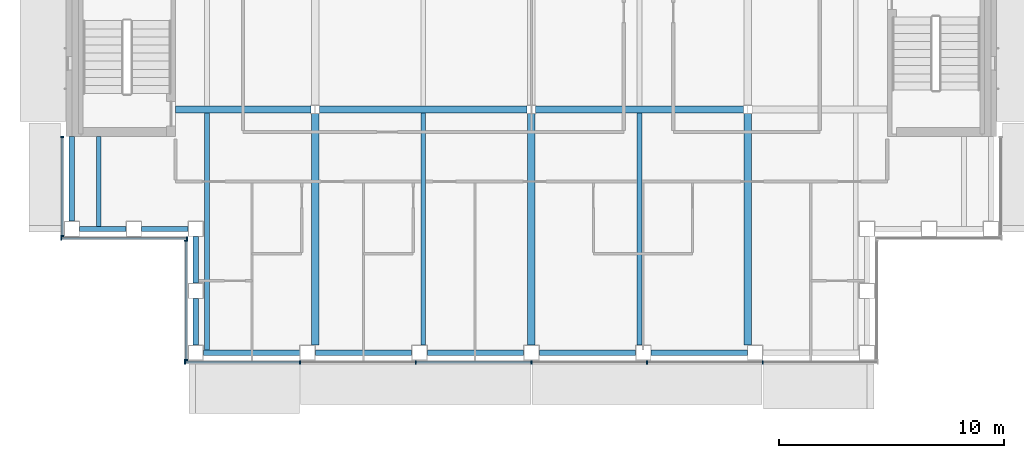
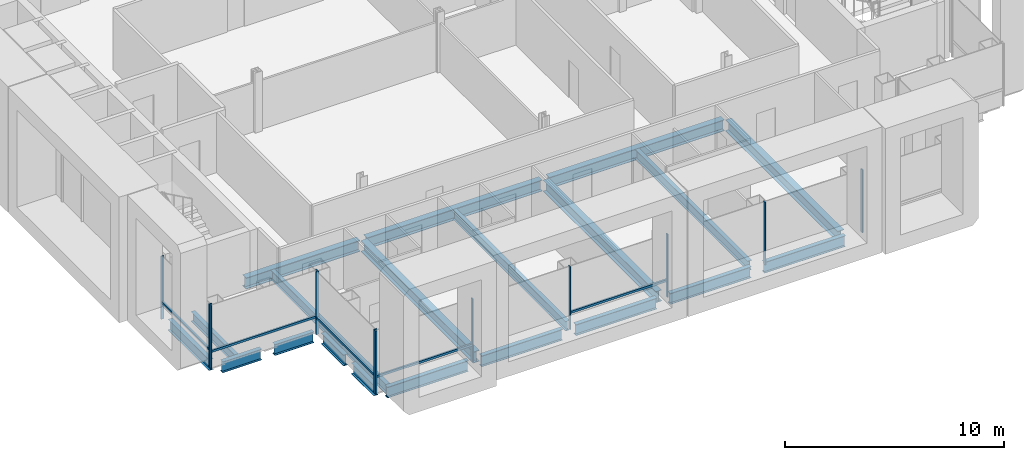
# One storey, part 3 of 19: 20 beams, 17 members, 4 elements without a shape of their own.
"""IFC4 building model written with IfcOpenShell, lengths in metres."""

from ifc_helpers import new_model, si_unit, direction, frame, origin, origin_2d, place, context, subcontext, project, spatial, rectangle, i_section, extrude, material, material_profile, profile_set, type_object, element, aggregate, save


model = new_model("IFC4")

# Units and contexts
model_context = context("Model", 3, precision=1e-05, world=origin(), true_north=direction((0.0, 1.0)))
body_context = subcontext(model_context, "Body", "Model", "MODEL_VIEW")
ifc_project = project(units=[si_unit("LENGTHUNIT", "METRE"), si_unit("AREAUNIT", "SQUARE_METRE"), si_unit("VOLUMEUNIT", "CUBIC_METRE"), si_unit("PLANEANGLEUNIT", "RADIAN"), si_unit("MASSUNIT", "GRAM", prefix="KILO")], contexts=[model_context])

# Site, building, storey
site_placement = place(None, origin())
site = spatial("IfcSite", under=ifc_project, at=site_placement, CompositionType="ELEMENT")
building_placement = place(site_placement, origin())
building = spatial("IfcBuilding", under=site, at=building_placement, Name="Cobrizo Arcos Hotel Tower", CompositionType="ELEMENT")
storey_placement = place(building_placement, frame((0.0, 0.0, 198.0)))
storey = spatial("IfcBuildingStorey", under=building, at=storey_placement, Name="L51", CompositionType="ELEMENT", Elevation=198.0)

# Curtain wall, members
ifc_material_1 = material(Name="Aluminium 6063-T6 anodised bronze", Category="aluminium")
curtain_wall_type = type_object("IfcCurtainWallType", Name="CW-A guest facade", PredefinedType="NOTDEFINED", material=ifc_material_1)
curtain_wall_1_placement = place(storey_placement, origin())
curtain_wall_1 = element("IfcCurtainWall", 1, at=curtain_wall_1_placement, inside=storey, type_object=curtain_wall_type, Name="CW-A L51 S face", PredefinedType="NOTDEFINED")
ifc_material_profile_1 = material_profile(ifc_material_1, rectangle(XDim=0.14990234375, YDim=0.06005859375, at=origin_2d()), Name="CW-A mullion 150x60")
ifc_profile_set_1 = profile_set([ifc_material_profile_1], Name="Aluminium 6063-T6 anodised bronze")
member_type_1 = type_object("IfcMemberType", Name="CW-A mullion 150x60", PredefinedType="MULLION", material=ifc_profile_set_1)
member_1_placement = place(storey_placement, frame((-15.3701171875, -20.824951171875, 0.0), z_axis=(0.0, 0.0, 1.0), x_axis=(0.0, -1.0, 0.0)))
member_1 = element("IfcMember", 2, at=member_1_placement, type_object=member_type_1, Name="CW-A mullion 1", PredefinedType="MULLION", context=body_context, shape_type="SweptSolid", body=[
    extrude(rectangle(XDim=0.14990234375, YDim=0.06005859375, at=origin_2d()), origin(), (0.0, 0.0, 1.0), 3.5),
])
member_2_placement = place(storey_placement, frame((-10.2666015625, -20.824951171875, 0.0), z_axis=(0.0, 0.0, 1.0), x_axis=(0.0, -1.0, 0.0)))
member_2 = element("IfcMember", 3, at=member_2_placement, type_object=member_type_1, Name="CW-A mullion 2", PredefinedType="MULLION", context=body_context, shape_type="SweptSolid", body=[
    extrude(rectangle(XDim=0.14990234375, YDim=0.06005859375, at=origin_2d()), origin(), (0.0, 0.0, 1.0), 3.5),
])
member_3_placement = place(storey_placement, frame((-5.13330078125, -20.824951171875, 0.0), z_axis=(0.0, 0.0, 1.0), x_axis=(0.0, -1.0, 0.0)))
member_3 = element("IfcMember", 4, at=member_3_placement, type_object=member_type_1, Name="CW-A mullion 3", PredefinedType="MULLION", context=body_context, shape_type="SweptSolid", body=[
    extrude(rectangle(XDim=0.14990234375, YDim=0.06005859375, at=origin_2d()), origin(), (0.0, 0.0, 1.0), 3.5),
])
member_4_placement = place(storey_placement, frame((0.0, -20.824951171875, 0.0), z_axis=(0.0, 0.0, 1.0), x_axis=(0.0, -1.0, 0.0)))
member_4 = element("IfcMember", 5, at=member_4_placement, type_object=member_type_1, Name="CW-A mullion 4", PredefinedType="MULLION", context=body_context, shape_type="SweptSolid", body=[
    extrude(rectangle(XDim=0.14990234375, YDim=0.06005859375, at=origin_2d()), origin(), (0.0, 0.0, 1.0), 3.5),
])
member_5_placement = place(storey_placement, frame((5.13330078125, -20.824951171875, 0.0), z_axis=(0.0, 0.0, 1.0), x_axis=(0.0, -1.0, 0.0)))
member_5 = element("IfcMember", 6, at=member_5_placement, type_object=member_type_1, Name="CW-A mullion 5", PredefinedType="MULLION", context=body_context, shape_type="SweptSolid", body=[
    extrude(rectangle(XDim=0.14990234375, YDim=0.06005859375, at=origin_2d()), origin(), (0.0, 0.0, 1.0), 3.5),
])
member_6_placement = place(storey_placement, frame((10.2666015625, -20.824951171875, 0.0), z_axis=(0.0, 0.0, 1.0), x_axis=(0.0, -1.0, 0.0)))
member_6 = element("IfcMember", 7, at=member_6_placement, type_object=member_type_1, Name="CW-A mullion 6", PredefinedType="MULLION", context=body_context, shape_type="SweptSolid", body=[
    extrude(rectangle(XDim=0.14990234375, YDim=0.06005859375, at=origin_2d()), origin(), (0.0, 0.0, 1.0), 3.5),
])

curtain_wall_2_placement = place(storey_placement, origin())
curtain_wall_2 = element("IfcCurtainWall", 8, at=curtain_wall_2_placement, inside=storey, type_object=curtain_wall_type, Name="CW-A L51 W face", PredefinedType="NOTDEFINED")
member_7_placement = place(storey_placement, frame((-20.824951171875, -10.830078125, 0.0), z_axis=(0.0, 0.0, 1.0), x_axis=(-1.0, 0.0, 0.0)))
member_7 = element("IfcMember", 9, at=member_7_placement, type_object=member_type_1, Name="CW-A mullion 1", PredefinedType="MULLION", context=body_context, shape_type="SweptSolid", body=[
    extrude(rectangle(XDim=0.14990234375, YDim=0.06005859375, at=origin_2d()), origin(), (0.0, 0.0, 1.0), 3.5),
])
member_8_placement = place(storey_placement, frame((-20.824951171875, -15.219970703125, 0.0), z_axis=(0.0, 0.0, 1.0), x_axis=(-1.0, 0.0, 0.0)))
member_8 = element("IfcMember", 10, at=member_8_placement, type_object=member_type_1, Name="CW-A mullion 2", PredefinedType="MULLION", context=body_context, shape_type="SweptSolid", body=[
    extrude(rectangle(XDim=0.14990234375, YDim=0.06005859375, at=origin_2d()), origin(), (0.0, 0.0, 1.0), 3.5),
])

curtain_wall_3_placement = place(storey_placement, origin())
curtain_wall_3 = element("IfcCurtainWall", 11, at=curtain_wall_3_placement, inside=storey, type_object=curtain_wall_type, Name="CW-A L51 S face", PredefinedType="NOTDEFINED")
member_9_placement = place(storey_placement, frame((-20.8701171875, -15.324951171875, 0.0), z_axis=(0.0, 0.0, 1.0), x_axis=(0.0, -1.0, 0.0)))
member_9 = element("IfcMember", 12, at=member_9_placement, type_object=member_type_1, Name="CW-A mullion 1", PredefinedType="MULLION", context=body_context, shape_type="SweptSolid", body=[
    extrude(rectangle(XDim=0.14990234375, YDim=0.06005859375, at=origin_2d()), origin(), (0.0, 0.0, 1.0), 3.5),
])
member_10_placement = place(storey_placement, frame((-15.280029296875, -15.324951171875, 0.0), z_axis=(0.0, 0.0, 1.0), x_axis=(0.0, -1.0, 0.0)))
member_10 = element("IfcMember", 13, at=member_10_placement, type_object=member_type_1, Name="CW-A mullion 2", PredefinedType="MULLION", context=body_context, shape_type="SweptSolid", body=[
    extrude(rectangle(XDim=0.14990234375, YDim=0.06005859375, at=origin_2d()), origin(), (0.0, 0.0, 1.0), 3.5),
])

curtain_wall_4_placement = place(storey_placement, origin())
curtain_wall_4 = element("IfcCurtainWall", 14, at=curtain_wall_4_placement, inside=storey, type_object=curtain_wall_type, Name="CW-A L51 W face", PredefinedType="NOTDEFINED")
member_11_placement = place(storey_placement, frame((-15.324951171875, -15.429931640625, 0.0), z_axis=(0.0, 0.0, 1.0), x_axis=(-1.0, 0.0, 0.0)))
member_11 = element("IfcMember", 15, at=member_11_placement, type_object=member_type_1, Name="CW-A mullion 1", PredefinedType="MULLION", context=body_context, shape_type="SweptSolid", body=[
    extrude(rectangle(XDim=0.14990234375, YDim=0.06005859375, at=origin_2d()), origin(), (0.0, 0.0, 1.0), 3.5),
])
member_12_placement = place(storey_placement, frame((-15.324951171875, -20.719970703125, 0.0), z_axis=(0.0, 0.0, 1.0), x_axis=(-1.0, 0.0, 0.0)))
member_12 = element("IfcMember", 16, at=member_12_placement, type_object=member_type_1, Name="CW-A mullion 2", PredefinedType="MULLION", context=body_context, shape_type="SweptSolid", body=[
    extrude(rectangle(XDim=0.14990234375, YDim=0.06005859375, at=origin_2d()), origin(), (0.0, 0.0, 1.0), 3.5),
])

# Member
ifc_material_profile_2 = material_profile(ifc_material_1, rectangle(XDim=0.10009765625, YDim=0.1201171875, at=origin_2d()), Name="CW-A transom 120x100")
ifc_profile_set_2 = profile_set([ifc_material_profile_2], Name="Aluminium 6063-T6 anodised bronze")
member_type_2 = type_object("IfcMemberType", Name="CW-A transom 120x100", PredefinedType="USERDEFINED", material=ifc_profile_set_2)
member_13_placement = place(storey_placement, frame((-15.340087890625, -20.824951171875, 0.929931640625), z_axis=(1.0, 0.0, 0.0), x_axis=(0.0, 1.0, 0.0)))
member_13 = element("IfcMember", 17, at=member_13_placement, type_object=member_type_2, Name="CW-A transom 1744", ObjectType="TRANSOM", PredefinedType="USERDEFINED", context=body_context, shape_type="SweptSolid", body=[
    extrude(rectangle(XDim=0.10009765625, YDim=0.1201171875, at=origin_2d()), origin(), (0.0, 0.0, 1.0), 5.04345703125),
])

member_14_placement = place(storey_placement, frame((-5.103271484375, -20.824951171875, 0.929931640625), z_axis=(1.0, 0.0, 0.0), x_axis=(0.0, 1.0, 0.0)))
member_14 = element("IfcMember", 18, at=member_14_placement, type_object=member_type_2, Name="CW-A transom 1746", ObjectType="TRANSOM", PredefinedType="USERDEFINED", context=body_context, shape_type="SweptSolid", body=[
    extrude(rectangle(XDim=0.10009765625, YDim=0.1201171875, at=origin_2d()), origin(), (0.0, 0.0, 1.0), 5.0732421875),
])

aggregate(curtain_wall_1, [member_1, member_2, member_3, member_4, member_5, member_6, member_13, member_14])

member_15_placement = place(storey_placement, frame((-20.824951171875, -10.860107421875, 0.929931640625), z_axis=(0.0, -1.0, 0.0), x_axis=(1.0, 0.0, 0.0)))
member_15 = element("IfcMember", 19, at=member_15_placement, type_object=member_type_2, Name="CW-A transom 1765", ObjectType="TRANSOM", PredefinedType="USERDEFINED", context=body_context, shape_type="SweptSolid", body=[
    extrude(rectangle(XDim=0.10009765625, YDim=0.1201171875, at=origin_2d()), origin(), (0.0, 0.0, 1.0), 4.329833984375),
])

aggregate(curtain_wall_2, [member_7, member_8, member_15])

member_16_placement = place(storey_placement, frame((-20.840087890625, -15.324951171875, 0.929931640625), z_axis=(1.0, 0.0, 0.0), x_axis=(0.0, 1.0, 0.0)))
member_16 = element("IfcMember", 20, at=member_16_placement, type_object=member_type_2, Name="CW-A transom 1766", ObjectType="TRANSOM", PredefinedType="USERDEFINED", context=body_context, shape_type="SweptSolid", body=[
    extrude(rectangle(XDim=0.10009765625, YDim=0.1201171875, at=origin_2d()), origin(), (0.0, 0.0, 1.0), 5.530029296875),
])

aggregate(curtain_wall_3, [member_9, member_10, member_16])

member_17_placement = place(storey_placement, frame((-15.324951171875, -15.4599609375, 0.929931640625), z_axis=(0.0, -1.0, 0.0), x_axis=(1.0, 0.0, 0.0)))
member_17 = element("IfcMember", 21, at=member_17_placement, type_object=member_type_2, Name="CW-A transom 1767", ObjectType="TRANSOM", PredefinedType="USERDEFINED", context=body_context, shape_type="SweptSolid", body=[
    extrude(rectangle(XDim=0.10009765625, YDim=0.1201171875, at=origin_2d()), origin(), (0.0, 0.0, 1.0), 5.22998046875),
])

aggregate(curtain_wall_4, [member_11, member_12, member_17])

# Beams
ifc_material_2 = material(Name="Steel ASTM A992 Grade 50", Category="steel")
ifc_material_profile_3 = material_profile(ifc_material_2, i_section(OverallWidth=0.209228515625, OverallDepth=0.533447265625, WebThickness=0.01025390625, FlangeThickness=0.015625, at=origin_2d()), Name="W21X62")
ifc_profile_set_3 = profile_set([ifc_material_profile_3], Name="Steel ASTM A992 Grade 50")
beam_type_1 = type_object("IfcBeamType", Name="W21X62 joist", PredefinedType="JOIST", material=ifc_profile_set_3)
beam_1_placement = place(storey_placement, frame((-19.199951171875, -14.81005859375, -0.416748046875), z_axis=(0.0, 1.0, 0.0), x_axis=(-1.0, 0.0, 0.0)))
element("IfcBeam", 22, at=beam_1_placement, inside=storey, type_object=beam_type_1, Name="Floor joist J1, L51, no. 001", PredefinedType="JOIST", context=body_context, shape_type="SweptSolid", body=[
    extrude(i_section(OverallWidth=0.209228515625, OverallDepth=0.533447265625, WebThickness=0.01025390625, FlangeThickness=0.015625, at=origin_2d()), origin(), (0.0, 0.0, 1.0), 4.0),
])
beam_2_placement = place(storey_placement, frame((-14.39990234375, -20.31005859375, -0.416748046875), z_axis=(0.0, 1.0, 0.0), x_axis=(-1.0, 0.0, 0.0)))
element("IfcBeam", 23, at=beam_2_placement, inside=storey, type_object=beam_type_1, Name="Floor joist J1, L51, no. 003", PredefinedType="JOIST", context=body_context, shape_type="SweptSolid", body=[
    extrude(i_section(OverallWidth=0.209228515625, OverallDepth=0.533447265625, WebThickness=0.01025390625, FlangeThickness=0.015625, at=origin_2d()), origin(), (0.0, 0.0, 1.0), 10.546142578125),
])
for number, where, z_axis, x_axis, name in (
    (24, (-4.800048828125, -20.050048828125, -0.416748046875), (0.0, 1.0, 0.0), (-1.0, 0.0, 0.0), "Floor joist J1, L51, no. 007"),
    (25, (4.800048828125, -20.050048828125, -0.416748046875), (0.0, 1.0, 0.0), (-1.0, 0.0, 0.0), "Floor joist J1, L51, no. 011"),
):
    element("IfcBeam", number, at=place(storey_placement, frame(where, z_axis=z_axis, x_axis=x_axis)), inside=storey, type_object=beam_type_1, Name=name, PredefinedType="JOIST", context=body_context, shape_type="SweptSolid", body=[
        extrude(i_section(OverallWidth=0.209228515625, OverallDepth=0.533447265625, WebThickness=0.01025390625, FlangeThickness=0.015625, at=origin_2d()), origin(), (0.0, 0.0, 1.0), 10.2861328125),
    ])
ifc_material_profile_4 = material_profile(ifc_material_2, i_section(OverallWidth=0.32763671875, OverallDepth=0.622314453125, WebThickness=0.015380859375, FlangeThickness=0.0244140625, at=origin_2d()), Name="W24X131")
ifc_profile_set_4 = profile_set([ifc_material_profile_4], Name="Steel ASTM A992 Grade 50")
beam_type_2 = type_object("IfcBeamType", Name="W24X131 girder", PredefinedType="BEAM", material=ifc_profile_set_4)
beam_3_placement = place(storey_placement, frame((-15.7900390625, -9.60009765625, -0.461181640625), z_axis=(1.0, 0.0, 0.0), x_axis=(0.0, 1.0, 0.0)))
element("IfcBeam", 26, at=beam_3_placement, inside=storey, type_object=beam_type_2, Name="Floor girder G1, L51, no. 001", PredefinedType="BEAM", context=body_context, shape_type="SweptSolid", body=[
    extrude(i_section(OverallWidth=0.32763671875, OverallDepth=0.622314453125, WebThickness=0.015380859375, FlangeThickness=0.0244140625, at=origin_2d()), origin(), (0.0, 0.0, 1.0), 6.00341796875),
])
for number, where, z_axis, x_axis, name in (
    (27, (-9.413330078125, -9.60009765625, -0.461181640625), (1.0, 0.0, 0.0), (0.0, 1.0, 0.0), "Floor girder G1, L51, no. 002"),
    (28, (0.186767578125, -9.60009765625, -0.461181640625), (1.0, 0.0, 0.0), (0.0, 1.0, 0.0), "Floor girder G1, L51, no. 003"),
):
    element("IfcBeam", number, at=place(storey_placement, frame(where, z_axis=z_axis, x_axis=x_axis)), inside=storey, type_object=beam_type_2, Name=name, PredefinedType="BEAM", context=body_context, shape_type="SweptSolid", body=[
        extrude(i_section(OverallWidth=0.32763671875, OverallDepth=0.622314453125, WebThickness=0.015380859375, FlangeThickness=0.0244140625, at=origin_2d()), origin(), (0.0, 0.0, 1.0), 9.2265625),
    ])
for number, where, z_axis, x_axis, name in (
    (29, (-9.60009765625, -20.050048828125, -0.461181640625), (0.0, 1.0, 0.0), (-1.0, 0.0, 0.0), "Floor girder G1, L51, no. 013"),
    (30, (0.0, -20.050048828125, -0.461181640625), (0.0, 1.0, 0.0), (-1.0, 0.0, 0.0), "Floor girder G1, L51, no. 017"),
    (31, (9.60009765625, -20.050048828125, -0.461181640625), (0.0, 1.0, 0.0), (-1.0, 0.0, 0.0), "Floor girder G1, L51, no. 021"),
):
    element("IfcBeam", number, at=place(storey_placement, frame(where, z_axis=z_axis, x_axis=x_axis)), inside=storey, type_object=beam_type_2, Name=name, PredefinedType="BEAM", context=body_context, shape_type="SweptSolid", body=[
        extrude(i_section(OverallWidth=0.32763671875, OverallDepth=0.622314453125, WebThickness=0.015380859375, FlangeThickness=0.0244140625, at=origin_2d()), origin(), (0.0, 0.0, 1.0), 10.263427734375),
    ])
ifc_material_profile_5 = material_profile(ifc_material_2, i_section(OverallWidth=0.228271484375, OverallDepth=0.607177734375, WebThickness=0.01123046875, FlangeThickness=0.017333984375, at=origin_2d()), Name="W24X76")
ifc_profile_set_5 = profile_set([ifc_material_profile_5], Name="Steel ASTM A992 Grade 50")
beam_type_3 = type_object("IfcBeamType", Name="W24X76 spandrel", PredefinedType="SPANDREL", material=ifc_profile_set_5)
beam_4_placement = place(storey_placement, frame((-14.550048828125, -20.39990234375, -0.45361328125), z_axis=(1.0, 0.0, 0.0), x_axis=(0.0, 1.0, 0.0)))
element("IfcBeam", 32, at=beam_4_placement, inside=storey, type_object=beam_type_3, Name="Spandrel beam W24X76, L51, no. 001", PredefinedType="SPANDREL", context=body_context, shape_type="SweptSolid", body=[
    extrude(i_section(OverallWidth=0.228271484375, OverallDepth=0.607177734375, WebThickness=0.01123046875, FlangeThickness=0.017333984375, at=origin_2d()), origin(), (0.0, 0.0, 1.0), 4.26708984375),
])
beam_5_placement = place(storey_placement, frame((-9.5830078125, -20.39990234375, -0.45361328125), z_axis=(1.0, 0.0, 0.0), x_axis=(0.0, 1.0, 0.0)))
element("IfcBeam", 33, at=beam_5_placement, inside=storey, type_object=beam_type_3, Name="Spandrel beam W24X76, L51, no. 002", PredefinedType="SPANDREL", context=body_context, shape_type="SweptSolid", body=[
    extrude(i_section(OverallWidth=0.228271484375, OverallDepth=0.607177734375, WebThickness=0.01123046875, FlangeThickness=0.017333984375, at=origin_2d()), origin(), (0.0, 0.0, 1.0), 4.26611328125),
])
for number, where, z_axis, x_axis, name in (
    (34, (-4.616943359375, -20.39990234375, -0.45361328125), (1.0, 0.0, 0.0), (0.0, 1.0, 0.0), "Spandrel beam W24X76, L51, no. 003"),
    (35, (0.35009765625, -20.39990234375, -0.45361328125), (1.0, 0.0, 0.0), (0.0, 1.0, 0.0), "Spandrel beam W24X76, L51, no. 004"),
):
    element("IfcBeam", number, at=place(storey_placement, frame(where, z_axis=z_axis, x_axis=x_axis)), inside=storey, type_object=beam_type_3, Name=name, PredefinedType="SPANDREL", context=body_context, shape_type="SweptSolid", body=[
        extrude(i_section(OverallWidth=0.228271484375, OverallDepth=0.607177734375, WebThickness=0.01123046875, FlangeThickness=0.017333984375, at=origin_2d()), origin(), (0.0, 0.0, 1.0), 4.266845703125),
    ])
beam_6_placement = place(storey_placement, frame((5.31689453125, -20.39990234375, -0.45361328125), z_axis=(1.0, 0.0, 0.0), x_axis=(0.0, 1.0, 0.0)))
element("IfcBeam", 36, at=beam_6_placement, inside=storey, type_object=beam_type_3, Name="Spandrel beam W24X76, L51, no. 005", PredefinedType="SPANDREL", context=body_context, shape_type="SweptSolid", body=[
    extrude(i_section(OverallWidth=0.228271484375, OverallDepth=0.607177734375, WebThickness=0.01123046875, FlangeThickness=0.017333984375, at=origin_2d()), origin(), (0.0, 0.0, 1.0), 4.26611328125),
])
beam_7_placement = place(storey_placement, frame((-20.39990234375, -10.81005859375, -0.45361328125), z_axis=(0.0, -1.0, 0.0), x_axis=(1.0, 0.0, 0.0)))
element("IfcBeam", 37, at=beam_7_placement, inside=storey, type_object=beam_type_3, Name="Spandrel beam W24X76, L51, no. 028", PredefinedType="SPANDREL", context=body_context, shape_type="SweptSolid", body=[
    extrude(i_section(OverallWidth=0.228271484375, OverallDepth=0.607177734375, WebThickness=0.01123046875, FlangeThickness=0.017333984375, at=origin_2d()), origin(), (0.0, 0.0, 1.0), 3.739990234375),
])
for number, where, z_axis, x_axis, name in (
    (38, (-20.050048828125, -14.89990234375, -0.45361328125), (1.0, 0.0, 0.0), (0.0, 1.0, 0.0), "Spandrel beam W24X76, L51, no. 029"),
    (39, (-17.300048828125, -14.89990234375, -0.45361328125), (1.0, 0.0, 0.0), (0.0, 1.0, 0.0), "Spandrel beam W24X76, L51, no. 030"),
    (40, (-14.89990234375, -15.25, -0.45361328125), (0.0, -1.0, 0.0), (1.0, 0.0, 0.0), "Spandrel beam W24X76, L51, no. 031"),
    (41, (-14.89990234375, -18.0, -0.45361328125), (0.0, -1.0, 0.0), (1.0, 0.0, 0.0), "Spandrel beam W24X76, L51, no. 032"),
):
    element("IfcBeam", number, at=place(storey_placement, frame(where, z_axis=z_axis, x_axis=x_axis)), inside=storey, type_object=beam_type_3, Name=name, PredefinedType="SPANDREL", context=body_context, shape_type="SweptSolid", body=[
        extrude(i_section(OverallWidth=0.228271484375, OverallDepth=0.607177734375, WebThickness=0.01123046875, FlangeThickness=0.017333984375, at=origin_2d()), origin(), (0.0, 0.0, 1.0), 2.050048828125),
    ])

save(model, "model.ifc")
